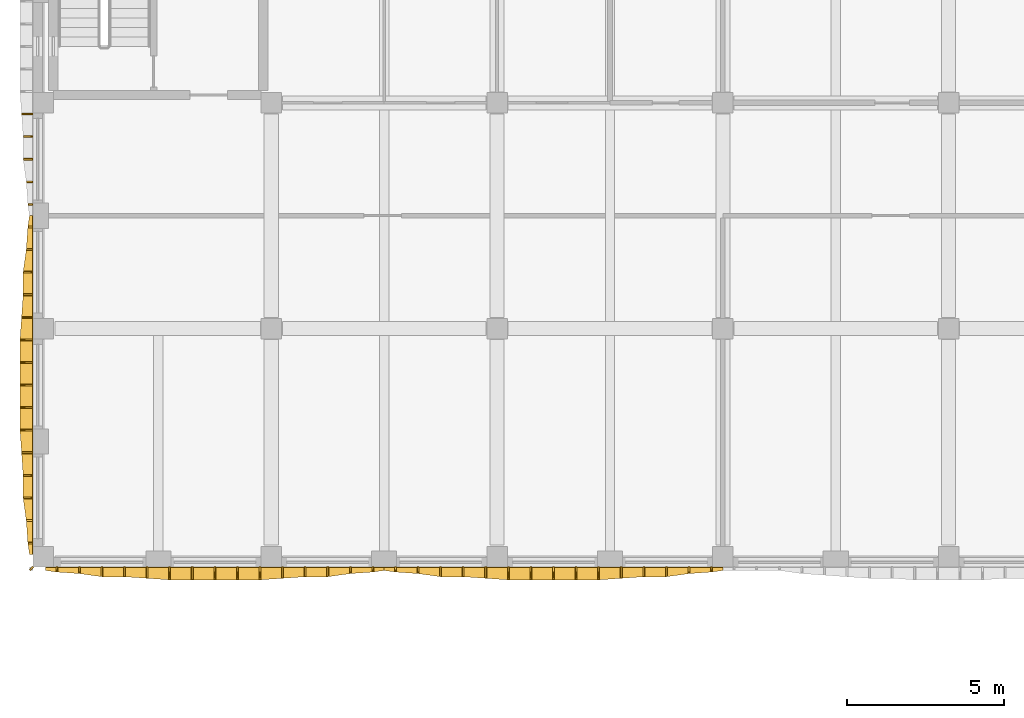
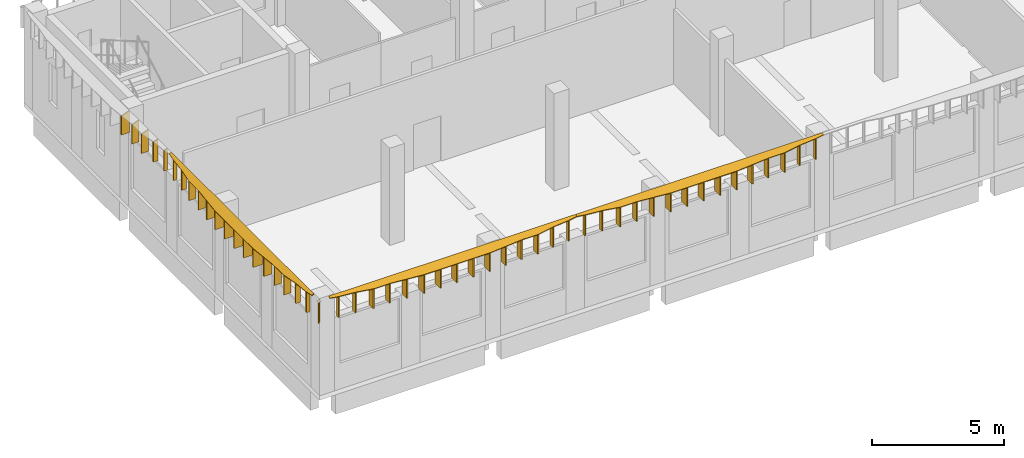
# One storey, part 42 of 58: 54 shading devices.
"""IFC4 building model written with IfcOpenShell, lengths in metres."""

from ifc_helpers import new_model, si_unit, direction, frame, origin, place, context, subcontext, project, spatial, polyline, outline, extrude, material, layer, layer_set, type_object, element, save


model = new_model("IFC4")

# Units and contexts
model_context = context("Model", 3, precision=1e-05, world=origin(), true_north=direction((0.0, 1.0)))
body_context = subcontext(model_context, "Body", "Model", "MODEL_VIEW")
ifc_project = project(units=[si_unit("LENGTHUNIT", "METRE"), si_unit("AREAUNIT", "SQUARE_METRE"), si_unit("VOLUMEUNIT", "CUBIC_METRE"), si_unit("PLANEANGLEUNIT", "RADIAN"), si_unit("MASSUNIT", "GRAM", prefix="KILO")], contexts=[model_context])

# Site, building, storey
site_placement = place(None, origin())
site = spatial("IfcSite", under=ifc_project, at=site_placement, CompositionType="ELEMENT")
building_placement = place(site_placement, origin())
building = spatial("IfcBuilding", under=site, at=building_placement, Name="Ussher Court Research Institute", CompositionType="ELEMENT")
storey_placement = place(building_placement, frame((0.0, 0.0, 9.89990234375)))
storey = spatial("IfcBuildingStorey", under=building, at=storey_placement, Name="L02", CompositionType="ELEMENT", Elevation=9.89990234375)

# Shading devices
ifc_material_1 = material(Name="Bronze anodised aluminium", Category="aluminium")
ifc_layer_1 = layer(ifc_material_1, 0.050048828125)
ifc_layer_set_1 = layer_set([ifc_layer_1], Name="Bronze anodised aluminium")
shading_device_type_1 = type_object("IfcShadingDeviceType", Name="Brim blade 150 mm deep 1000 mm high canted 20 deg dry", PredefinedType="USERDEFINED", material=ifc_layer_set_1)
for number, where, z_axis, x_axis, name in (
    (1, (24.239990234375, 68.39990234375, 3.4501953125), (0.0, 0.0, 1.0), (0.0, -1.0, 0.0), "Brim blade BS16 L02"),
    (2, (14.159912109375, 68.39990234375, 3.4501953125), (0.0, 0.0, 1.0), (0.0, -1.0, 0.0), "Brim blade BS16 L02"),
    (3, (13.43994140625, 68.39990234375, 3.4501953125), (0.0, 0.0, 1.0), (0.0, -1.0, 0.0), "Brim blade BS16 L02"),
    (4, (3.360107421875, 68.39990234375, 3.4501953125), (0.0, 0.0, 1.0), (0.0, -1.0, 0.0), "Brim blade BS16 L02"),
):
    element("IfcShadingDevice", number, at=place(storey_placement, frame(where, z_axis=z_axis, x_axis=x_axis)), inside=storey, type_object=shading_device_type_1, Name=name, ObjectType="BLADE", PredefinedType="USERDEFINED", context=body_context, shape_type="SweptSolid", body=[
        extrude(outline(polyline([(0.0, 0.0), (0.14990234375, 0.0), (0.14990234375, 0.9453125), (0.0, 1.0), (0.0, 0.0)])), frame((0.0, 0.02490234375, 0.0), z_axis=(0.0, -1.0, 0.0), x_axis=(1.0, 0.0, 0.0)), (0.0, 0.0, 1.0), 0.050048828125),
    ])
for number, where, z_axis, x_axis, name in (
    (5, (2.60009765625, 69.159912109375, 3.4501953125), (0.0, 0.0, 1.0), (-1.0, 0.0, 0.0), "Brim blade BS16 L02"),
    (6, (2.60009765625, 79.239990234375, 3.4501953125), (0.0, 0.0, 1.0), (-1.0, 0.0, 0.0), "Brim blade BS16 L02"),
    (7, (2.60009765625, 79.9599609375, 3.4501953125), (0.0, 0.0, 1.0), (-1.0, 0.0, 0.0), "Brim blade BS16 L02"),
):
    element("IfcShadingDevice", number, at=place(storey_placement, frame(where, z_axis=z_axis, x_axis=x_axis)), inside=storey, type_object=shading_device_type_1, Name=name, ObjectType="BLADE", PredefinedType="USERDEFINED", context=body_context, shape_type="SweptSolid", body=[
        extrude(outline(polyline([(0.0, 0.0), (0.150146484375, 0.0), (0.14990234375, 0.9453125), (0.0, 1.0), (0.0, 0.0)])), frame((0.0, 0.02490234375, 0.0), z_axis=(0.0, -1.0, 0.0), x_axis=(1.0, 0.0, 0.0)), (0.0, 0.0, 1.0), 0.050048828125),
    ])
ifc_material_2 = material(Name="Bronze anodised aluminium", Category="aluminium")
ifc_layer_2 = layer(ifc_material_2, 0.050048828125)
ifc_layer_set_2 = layer_set([ifc_layer_2], Name="Bronze anodised aluminium")
shading_device_type_2 = type_object("IfcShadingDeviceType", Name="Brim blade 200 mm deep 1000 mm high canted 20 deg dry", PredefinedType="USERDEFINED", material=ifc_layer_set_2)
for number, where, z_axis, x_axis, name in (
    (8, (23.52001953125, 68.39990234375, 3.4501953125), (0.0, 0.0, 1.0), (0.0, -1.0, 0.0), "Brim blade BS15 L02"),
    (9, (14.8798828125, 68.39990234375, 3.4501953125), (0.0, 0.0, 1.0), (0.0, -1.0, 0.0), "Brim blade BS15 L02"),
    (10, (12.719970703125, 68.39990234375, 3.4501953125), (0.0, 0.0, 1.0), (0.0, -1.0, 0.0), "Brim blade BS15 L02"),
    (11, (4.080078125, 68.39990234375, 3.4501953125), (0.0, 0.0, 1.0), (0.0, -1.0, 0.0), "Brim blade BS15 L02"),
):
    element("IfcShadingDevice", number, at=place(storey_placement, frame(where, z_axis=z_axis, x_axis=x_axis)), inside=storey, type_object=shading_device_type_2, Name=name, ObjectType="BLADE", PredefinedType="USERDEFINED", context=body_context, shape_type="SweptSolid", body=[
        extrude(outline(polyline([(0.0, 0.0), (0.199951171875, 0.0), (0.199951171875, 0.927001953125), (0.0, 1.0), (0.0, 0.0)])), frame((0.0, 0.02490234375, 0.0), z_axis=(0.0, -1.0, 0.0), x_axis=(1.0, 0.0, 0.0)), (0.0, 0.0, 1.0), 0.050048828125),
    ])
for number, where, z_axis, x_axis, name in (
    (12, (2.60009765625, 69.8798828125, 3.4501953125), (0.0, 0.0, 1.0), (-1.0, 0.0, 0.0), "Brim blade BS15 L02"),
    (13, (2.60009765625, 78.52001953125, 3.4501953125), (0.0, 0.0, 1.0), (-1.0, 0.0, 0.0), "Brim blade BS15 L02"),
    (14, (2.60009765625, 80.679931640625, 3.4501953125), (0.0, 0.0, 1.0), (-1.0, 0.0, 0.0), "Brim blade BS15 L02"),
):
    element("IfcShadingDevice", number, at=place(storey_placement, frame(where, z_axis=z_axis, x_axis=x_axis)), inside=storey, type_object=shading_device_type_2, Name=name, ObjectType="BLADE", PredefinedType="USERDEFINED", context=body_context, shape_type="SweptSolid", body=[
        extrude(outline(polyline([(0.0, 0.0), (0.2001953125, 0.0), (0.199951171875, 0.927001953125), (0.0, 1.0), (0.0, 0.0)])), frame((0.0, 0.02490234375, 0.0), z_axis=(0.0, -1.0, 0.0), x_axis=(1.0, 0.0, 0.0)), (0.0, 0.0, 1.0), 0.050048828125),
    ])
ifc_material_3 = material(Name="Bronze anodised aluminium", Category="aluminium")
ifc_layer_3 = layer(ifc_material_3, 0.050048828125)
ifc_layer_set_3 = layer_set([ifc_layer_3], Name="Bronze anodised aluminium")
shading_device_type_3 = type_object("IfcShadingDeviceType", Name="Brim blade 300 mm deep 1000 mm high canted 20 deg dry", PredefinedType="USERDEFINED", material=ifc_layer_set_3)
for number, where, z_axis, x_axis, name in (
    (15, (22.800048828125, 68.39990234375, 3.4501953125), (0.0, 0.0, 1.0), (0.0, -1.0, 0.0), "Brim blade BS13 L02"),
    (16, (22.080078125, 68.39990234375, 3.4501953125), (0.0, 0.0, 1.0), (0.0, -1.0, 0.0), "Brim blade BS13 L02"),
    (17, (16.320068359375, 68.39990234375, 3.4501953125), (0.0, 0.0, 1.0), (0.0, -1.0, 0.0), "Brim blade BS13 L02"),
    (18, (15.60009765625, 68.39990234375, 3.4501953125), (0.0, 0.0, 1.0), (0.0, -1.0, 0.0), "Brim blade BS13 L02"),
    (19, (12.0, 68.39990234375, 3.4501953125), (0.0, 0.0, 1.0), (0.0, -1.0, 0.0), "Brim blade BS13 L02"),
    (20, (11.280029296875, 68.39990234375, 3.4501953125), (0.0, 0.0, 1.0), (0.0, -1.0, 0.0), "Brim blade BS13 L02"),
    (21, (5.52001953125, 68.39990234375, 3.4501953125), (0.0, 0.0, 1.0), (0.0, -1.0, 0.0), "Brim blade BS13 L02"),
    (22, (4.800048828125, 68.39990234375, 3.4501953125), (0.0, 0.0, 1.0), (0.0, -1.0, 0.0), "Brim blade BS13 L02"),
):
    element("IfcShadingDevice", number, at=place(storey_placement, frame(where, z_axis=z_axis, x_axis=x_axis)), inside=storey, type_object=shading_device_type_3, Name=name, ObjectType="BLADE", PredefinedType="USERDEFINED", context=body_context, shape_type="SweptSolid", body=[
        extrude(outline(polyline([(0.0, 0.0), (0.2998046875, 0.0), (0.300048828125, 0.890625), (0.0, 1.0), (0.0, 0.0)])), frame((0.0, 0.02490234375, 0.0), z_axis=(0.0, -1.0, 0.0), x_axis=(1.0, 0.0, 0.0)), (0.0, 0.0, 1.0), 0.050048828125),
    ])
for number, where, z_axis, x_axis, name in (
    (23, (2.60009765625, 70.60009765625, 3.4501953125), (0.0, 0.0, 1.0), (-1.0, 0.0, 0.0), "Brim blade BS13 L02"),
    (24, (2.60009765625, 71.320068359375, 3.4501953125), (0.0, 0.0, 1.0), (-1.0, 0.0, 0.0), "Brim blade BS13 L02"),
    (25, (2.60009765625, 77.080078125, 3.4501953125), (0.0, 0.0, 1.0), (-1.0, 0.0, 0.0), "Brim blade BS13 L02"),
    (26, (2.60009765625, 77.800048828125, 3.4501953125), (0.0, 0.0, 1.0), (-1.0, 0.0, 0.0), "Brim blade BS13 L02"),
    (27, (2.60009765625, 81.39990234375, 3.4501953125), (0.0, 0.0, 1.0), (-1.0, 0.0, 0.0), "Brim blade BS13 L02"),
    (28, (2.60009765625, 82.1201171875, 3.4501953125), (0.0, 0.0, 1.0), (-1.0, 0.0, 0.0), "Brim blade BS13 L02"),
):
    element("IfcShadingDevice", number, at=place(storey_placement, frame(where, z_axis=z_axis, x_axis=x_axis)), inside=storey, type_object=shading_device_type_3, Name=name, ObjectType="BLADE", PredefinedType="USERDEFINED", context=body_context, shape_type="SweptSolid", body=[
        extrude(outline(polyline([(0.0, 0.0), (0.300048828125, 0.0), (0.300048828125, 0.890625), (0.0, 1.0), (0.0, 0.0)])), frame((0.0, 0.02490234375, 0.0), z_axis=(0.0, -1.0, 0.0), x_axis=(1.0, 0.0, 0.0)), (0.0, 0.0, 1.0), 0.050048828125),
    ])
ifc_material_4 = material(Name="Bronze anodised aluminium", Category="aluminium")
ifc_layer_4 = layer(ifc_material_4, 0.050048828125)
ifc_layer_set_4 = layer_set([ifc_layer_4], Name="Bronze anodised aluminium")
shading_device_type_4 = type_object("IfcShadingDeviceType", Name="Brim blade 350 mm deep 1000 mm high canted 20 deg dry", PredefinedType="USERDEFINED", material=ifc_layer_set_4)
for number, where, z_axis, x_axis, name in (
    (29, (21.360107421875, 68.39990234375, 3.4501953125), (0.0, 0.0, 1.0), (0.0, -1.0, 0.0), "Brim blade BS12 L02"),
    (30, (17.0400390625, 68.39990234375, 3.4501953125), (0.0, 0.0, 1.0), (0.0, -1.0, 0.0), "Brim blade BS12 L02"),
    (31, (10.56005859375, 68.39990234375, 3.4501953125), (0.0, 0.0, 1.0), (0.0, -1.0, 0.0), "Brim blade BS12 L02"),
    (32, (6.239990234375, 68.39990234375, 3.4501953125), (0.0, 0.0, 1.0), (0.0, -1.0, 0.0), "Brim blade BS12 L02"),
):
    element("IfcShadingDevice", number, at=place(storey_placement, frame(where, z_axis=z_axis, x_axis=x_axis)), inside=storey, type_object=shading_device_type_4, Name=name, ObjectType="BLADE", PredefinedType="USERDEFINED", context=body_context, shape_type="SweptSolid", body=[
        extrude(outline(polyline([(0.0, 0.0), (0.349853515625, 0.0), (0.35009765625, 0.87255859375), (0.0, 1.0), (0.0, 0.0)])), frame((0.0, 0.02490234375, 0.0), z_axis=(0.0, -1.0, 0.0), x_axis=(1.0, 0.0, 0.0)), (0.0, 0.0, 1.0), 0.050048828125),
    ])
for number, where, z_axis, x_axis, name in (
    (33, (2.60009765625, 72.0400390625, 3.4501953125), (0.0, 0.0, 1.0), (-1.0, 0.0, 0.0), "Brim blade BS12 L02"),
    (34, (2.60009765625, 76.360107421875, 3.4501953125), (0.0, 0.0, 1.0), (-1.0, 0.0, 0.0), "Brim blade BS12 L02"),
    (35, (2.60009765625, 82.840087890625, 3.4501953125), (0.0, 0.0, 1.0), (-1.0, 0.0, 0.0), "Brim blade BS12 L02"),
):
    element("IfcShadingDevice", number, at=place(storey_placement, frame(where, z_axis=z_axis, x_axis=x_axis)), inside=storey, type_object=shading_device_type_4, Name=name, ObjectType="BLADE", PredefinedType="USERDEFINED", context=body_context, shape_type="SweptSolid", body=[
        extrude(outline(polyline([(0.0, 0.0), (0.35009765625, 0.0), (0.35009765625, 0.87255859375), (0.0, 1.0), (0.0, 0.0)])), frame((0.0, 0.02490234375, 0.0), z_axis=(0.0, -1.0, 0.0), x_axis=(1.0, 0.0, 0.0)), (0.0, 0.0, 1.0), 0.050048828125),
    ])
ifc_material_5 = material(Name="Bronze anodised aluminium", Category="aluminium")
ifc_layer_5 = layer(ifc_material_5, 0.050048828125)
ifc_layer_set_5 = layer_set([ifc_layer_5], Name="Bronze anodised aluminium")
shading_device_type_5 = type_object("IfcShadingDeviceType", Name="Brim blade 400 mm deep 1000 mm high canted 20 deg dry", PredefinedType="USERDEFINED", material=ifc_layer_set_5)
for number, where, z_axis, x_axis, name in (
    (36, (20.639892578125, 68.39990234375, 3.4501953125), (0.0, 0.0, 1.0), (0.0, -1.0, 0.0), "Brim blade BS11 L02"),
    (37, (19.919921875, 68.39990234375, 3.4501953125), (0.0, 0.0, 1.0), (0.0, -1.0, 0.0), "Brim blade BS11 L02"),
    (38, (19.199951171875, 68.39990234375, 3.4501953125), (0.0, 0.0, 1.0), (0.0, -1.0, 0.0), "Brim blade BS11 L02"),
    (39, (18.47998046875, 68.39990234375, 3.4501953125), (0.0, 0.0, 1.0), (0.0, -1.0, 0.0), "Brim blade BS11 L02"),
    (40, (17.760009765625, 68.39990234375, 3.4501953125), (0.0, 0.0, 1.0), (0.0, -1.0, 0.0), "Brim blade BS11 L02"),
    (41, (9.840087890625, 68.39990234375, 3.4501953125), (0.0, 0.0, 1.0), (0.0, -1.0, 0.0), "Brim blade BS11 L02"),
    (42, (9.1201171875, 68.39990234375, 3.4501953125), (0.0, 0.0, 1.0), (0.0, -1.0, 0.0), "Brim blade BS11 L02"),
    (43, (8.39990234375, 68.39990234375, 3.4501953125), (0.0, 0.0, 1.0), (0.0, -1.0, 0.0), "Brim blade BS11 L02"),
    (44, (7.679931640625, 68.39990234375, 3.4501953125), (0.0, 0.0, 1.0), (0.0, -1.0, 0.0), "Brim blade BS11 L02"),
    (45, (6.9599609375, 68.39990234375, 3.4501953125), (0.0, 0.0, 1.0), (0.0, -1.0, 0.0), "Brim blade BS11 L02"),
):
    element("IfcShadingDevice", number, at=place(storey_placement, frame(where, z_axis=z_axis, x_axis=x_axis)), inside=storey, type_object=shading_device_type_5, Name=name, ObjectType="BLADE", PredefinedType="USERDEFINED", context=body_context, shape_type="SweptSolid", body=[
        extrude(outline(polyline([(0.0, 0.0), (0.39990234375, 0.0), (0.39990234375, 0.854248046875), (0.0, 1.0), (0.0, 0.0)])), frame((0.0, 0.02490234375, 0.0), z_axis=(0.0, -1.0, 0.0), x_axis=(1.0, 0.0, 0.0)), (0.0, 0.0, 1.0), 0.050048828125),
    ])
for number, where, z_axis, x_axis, name in (
    (46, (2.60009765625, 72.760009765625, 3.4501953125), (0.0, 0.0, 1.0), (-1.0, 0.0, 0.0), "Brim blade BS11 L02"),
    (47, (2.60009765625, 73.47998046875, 3.4501953125), (0.0, 0.0, 1.0), (-1.0, 0.0, 0.0), "Brim blade BS11 L02"),
    (48, (2.60009765625, 74.199951171875, 3.4501953125), (0.0, 0.0, 1.0), (-1.0, 0.0, 0.0), "Brim blade BS11 L02"),
    (49, (2.60009765625, 74.919921875, 3.4501953125), (0.0, 0.0, 1.0), (-1.0, 0.0, 0.0), "Brim blade BS11 L02"),
    (50, (2.60009765625, 75.639892578125, 3.4501953125), (0.0, 0.0, 1.0), (-1.0, 0.0, 0.0), "Brim blade BS11 L02"),
):
    element("IfcShadingDevice", number, at=place(storey_placement, frame(where, z_axis=z_axis, x_axis=x_axis)), inside=storey, type_object=shading_device_type_5, Name=name, ObjectType="BLADE", PredefinedType="USERDEFINED", context=body_context, shape_type="SweptSolid", body=[
        extrude(outline(polyline([(0.0, 0.0), (0.400146484375, 0.0), (0.39990234375, 0.854248046875), (0.0, 1.0), (0.0, 0.0)])), frame((0.0, 0.02490234375, 0.0), z_axis=(0.0, -1.0, 0.0), x_axis=(1.0, 0.0, 0.0)), (0.0, 0.0, 1.0), 0.050048828125),
    ])
ifc_material_6 = material(Name="Bronze anodised aluminium", Category="aluminium")
ifc_layer_6 = layer(ifc_material_6, 0.050048828125)
ifc_layer_set_6 = layer_set([ifc_layer_6], Name="Bronze anodised aluminium")
shading_device_type_6 = type_object("IfcShadingDeviceType", Name="Brim mitre blade 100 mm deep 1000 mm high canted 20 deg dry", PredefinedType="USERDEFINED", material=ifc_layer_set_6)
shading_device_1_placement = place(storey_placement, frame((2.60009765625, 68.39990234375, 3.4501953125), z_axis=(0.0, 0.0, 1.0), x_axis=(-0.707969631694, -0.706242876495, 0.0)))
element("IfcShadingDevice", 51, at=shading_device_1_placement, inside=storey, type_object=shading_device_type_6, Name="Brim mitre blade BS19 L02", ObjectType="BLADE", PredefinedType="USERDEFINED", context=body_context, shape_type="SweptSolid", body=[
    extrude(outline(polyline([(0.0, 0.0), (0.141357421875, 0.0), (0.141357421875, 0.927001953125), (0.0, 1.0), (0.0, 0.0)])), frame((0.0, 0.02490234375, 0.0), z_axis=(0.0, -1.0, 0.0), x_axis=(1.0, 0.0, 0.0)), (0.0, 0.0, 1.0), 0.050048828125),
])
ifc_material_7 = material(Name="Bronze anodised aluminium", Category="aluminium")
ifc_layer_7 = layer(ifc_material_7, 0.0400390625)
ifc_layer_set_7 = layer_set([ifc_layer_7], Name="Bronze anodised aluminium")
shading_device_type_7 = type_object("IfcShadingDeviceType", Name="Brim visor sheet 40 mm canted 20 deg dry", PredefinedType="USERDEFINED", material=ifc_layer_set_7)
shading_device_2_placement = place(storey_placement, frame((24.60009765625, 68.38623046875, 4.48779296875), z_axis=(0.0, -0.34247777449, 0.939525930446), x_axis=(-1.0, 0.0, 0.0)))
element("IfcShadingDevice", 52, at=shading_device_2_placement, inside=storey, type_object=shading_device_type_7, Name="Brim visor sheet BR2 L02", ObjectType="BRIM", PredefinedType="USERDEFINED", context=body_context, shape_type="SweptSolid", body=[
    extrude(outline(polyline([(0.0, 0.0), (10.800048828125, 0.0), (10.800048828125, 0.10627326512485698), (10.440185546875, 0.15956639228017316), (9.72021484375, 0.21285951943548934), (9.0, 0.31936216100820913), (8.280029296875, 0.31936216100820913), (7.56005859375, 0.37234229897774984), (6.840087890625, 0.42563542613306604), (6.1201171875, 0.42563542613306604), (5.400146484375, 0.42563542613306604), (4.68017578125, 0.42563542613306604), (3.960205078125, 0.42563542613306604), (3.239990234375, 0.37234229897774984), (2.52001953125, 0.31936216100820913), (1.800048828125, 0.31936216100820913), (1.080078125, 0.21285951943548934), (0.360107421875, 0.15956639228017316), (0.0, 0.10627326512485698), (0.0, 0.0)])), origin(), (0.0, 0.0, -1.0), 0.0400390625),
])
shading_device_3_placement = place(storey_placement, frame((13.800048828125, 68.38623046875, 4.48779296875), z_axis=(0.0, -0.342477773799, 0.939525930698), x_axis=(-1.0, 0.0, 0.0)))
element("IfcShadingDevice", 53, at=shading_device_3_placement, inside=storey, type_object=shading_device_type_7, Name="Brim visor sheet BR2 L02", ObjectType="BRIM", PredefinedType="USERDEFINED", context=body_context, shape_type="SweptSolid", body=[
    extrude(outline(polyline([(0.0, 0.0), (10.800048828125, 0.0), (10.800048828125, 0.10627326512487205), (10.43994140625, 0.1595663922801422), (9.719970703125, 0.21285951943541234), (9.0, 0.31936216100820863), (8.280029296875, 0.31936216100820863), (7.56005859375, 0.37234229897781057), (6.840087890625, 0.4256354261330807), (6.1201171875, 0.4256354261330807), (5.400146484375, 0.4256354261330807), (4.679931640625, 0.4256354261330807), (3.9599609375, 0.4256354261330807), (3.239990234375, 0.37234229897781057), (2.52001953125, 0.31936216100820863), (1.800048828125, 0.31936216100820863), (1.080078125, 0.21285951943541234), (0.360107421875, 0.1595663922801422), (0.0, 0.10627326512487205), (0.0, 0.0)])), origin(), (0.0, 0.0, -1.0), 0.0400390625),
])
shading_device_4_placement = place(storey_placement, frame((2.586181640625, 68.800048828125, 4.48779296875), z_axis=(-0.342542327923, 0.0, 0.939502396794), x_axis=(0.0, 1.0, 0.0)))
element("IfcShadingDevice", 54, at=shading_device_4_placement, inside=storey, type_object=shading_device_type_7, Name="Brim visor sheet BR2 L02", ObjectType="BRIM", PredefinedType="USERDEFINED", context=body_context, shape_type="SweptSolid", body=[
    extrude(outline(polyline([(0.0, 0.0), (10.800048828125, 0.0), (10.800048828125, 0.10627326346414724), (10.43994140625, 0.159566394796406), (9.719970703125, 0.2128595261286647), (9.0, 0.319132789592812), (8.280029296875, 0.319132789592812), (7.56005859375, 0.37234229242704264), (6.83984375, 0.4256354237593014), (6.119873046875, 0.4256354237593014), (5.39990234375, 0.4256354237593014), (4.679931640625, 0.4256354237593014), (3.9599609375, 0.4256354237593014), (3.239990234375, 0.37234229242704264), (2.52001953125, 0.319132789592812), (1.800048828125, 0.319132789592812), (1.079833984375, 0.2128595261286647), (0.35986328125, 0.159566394796406), (0.0, 0.10627326346414724), (0.0, 0.0)])), origin(), (0.0, 0.0, -1.0), 0.0400390625),
])

save(model, "model.ifc")
